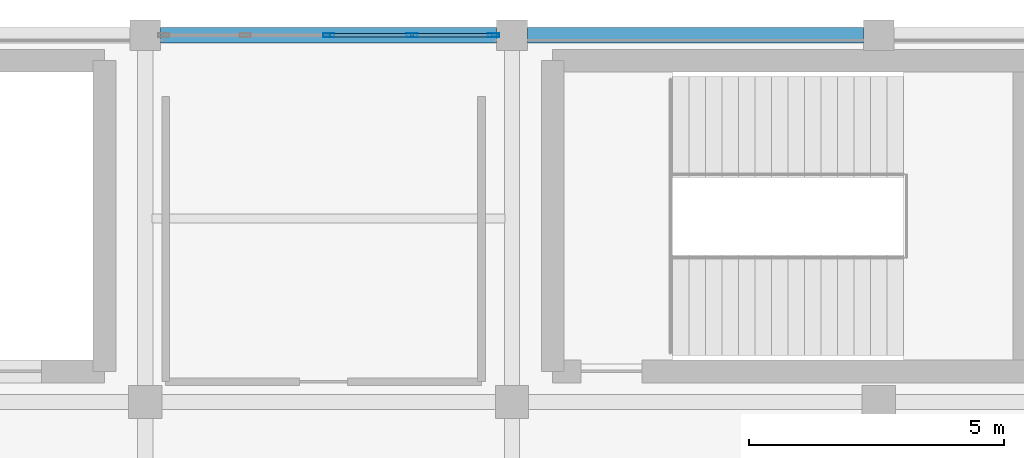
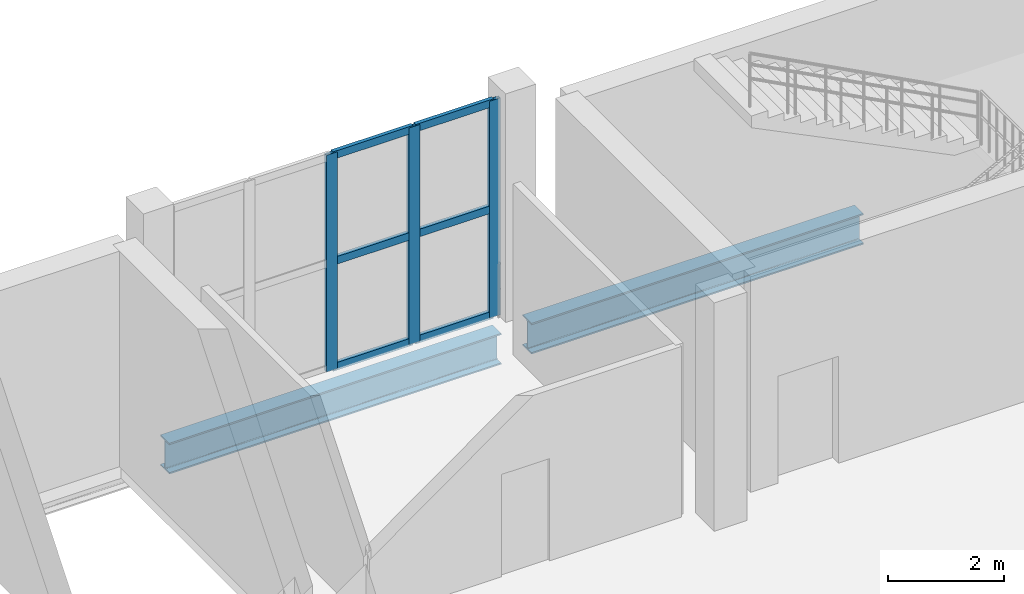
# One storey, part 71 of 105: 9 members, 2 beams, 1 element without a shape of its own.
"""IFC4 building model written with IfcOpenShell, lengths in metres."""

from ifc_helpers import new_model, si_unit, direction, frame, origin, origin_2d, place, context, subcontext, project, spatial, hollow_rectangle, i_section, extrude, material, material_profile, profile_set, type_object, element, aggregate, save


model = new_model("IFC4")

# Units and contexts
model_context = context("Model", 3, precision=1e-05, world=origin(), true_north=direction((0.0, 1.0)))
body_context = subcontext(model_context, "Body", "Model", "MODEL_VIEW")
ifc_project = project(units=[si_unit("LENGTHUNIT", "METRE"), si_unit("AREAUNIT", "SQUARE_METRE"), si_unit("VOLUMEUNIT", "CUBIC_METRE"), si_unit("PLANEANGLEUNIT", "RADIAN"), si_unit("MASSUNIT", "GRAM", prefix="KILO")], contexts=[model_context])

# Site, building, storey
site_placement = place(None, origin())
site = spatial("IfcSite", under=ifc_project, at=site_placement, CompositionType="ELEMENT")
building_placement = place(site_placement, origin())
building = spatial("IfcBuilding", under=site, at=building_placement, Name="Qandorah Velis Arena", CompositionType="ELEMENT")
storey_placement = place(building_placement, frame((0.0, 0.0, 13.800048828125)))
storey = spatial("IfcBuildingStorey", under=building, at=storey_placement, Name="L03", CompositionType="ELEMENT", Elevation=13.800048828125)

# Curtain wall, members
ifc_material_1 = material(Name="Solar-control low-E double glazing", Category="glass")
curtain_wall_type = type_object("IfcCurtainWallType", Name="ARC-CW-SYS17", PredefinedType="USERDEFINED", material=ifc_material_1)
curtain_wall_placement = place(storey_placement, origin())
curtain_wall = element("IfcCurtainWall", 1, at=curtain_wall_placement, inside=storey, type_object=curtain_wall_type, Name="Unitised curtain wall L03-089", ObjectType="UNITISED CURTAIN WALL", PredefinedType="USERDEFINED")
ifc_material_2 = material(Name="Champagne-bronze anodized aluminium 6063-T6", Category="aluminium")
ifc_material_profile_1 = material_profile(ifc_material_2, hollow_rectangle(XDim=0.074951171875, YDim=0.219970703125, WallThickness=0.00390625, at=origin_2d()), Name="ALU MULLION 75x220")
ifc_profile_set_1 = profile_set([ifc_material_profile_1], Name="Champagne-bronze anodized aluminium 6063-T6")
member_type_1 = type_object("IfcMemberType", Name="ARC-CWM-220", PredefinedType="MULLION", material=ifc_profile_set_1)
member_1_placement = place(storey_placement, frame((68.39990234375, 129.60009765625, -0.01513671875), z_axis=(0.0, 0.0, 1.0), x_axis=(0.0, 1.0, 0.0)))
member_1 = element("IfcMember", 2, at=member_1_placement, type_object=member_type_1, Name="CW17 mullion 3", PredefinedType="MULLION", context=body_context, shape_type="SweptSolid", body=[
    extrude(hollow_rectangle(XDim=0.074951171875, YDim=0.219970703125, WallThickness=0.00390625, at=origin_2d()), origin(), (0.0, 0.0, 1.0), 4.56005859375),
])
member_2_placement = place(storey_placement, frame((70.03759765625, 129.60009765625, -0.01513671875), z_axis=(0.0, 0.0, 1.0), x_axis=(0.0, 1.0, 0.0)))
member_2 = element("IfcMember", 3, at=member_2_placement, type_object=member_type_1, Name="CW17 mullion 4", PredefinedType="MULLION", context=body_context, shape_type="SweptSolid", body=[
    extrude(hollow_rectangle(XDim=0.074951171875, YDim=0.219970703125, WallThickness=0.00390625, at=origin_2d()), origin(), (0.0, 0.0, 1.0), 4.56005859375),
])
member_3_placement = place(storey_placement, frame((71.637451171875, 129.60009765625, -0.01513671875), z_axis=(0.0, 0.0, 1.0), x_axis=(0.0, 1.0, 0.0)))
member_3 = element("IfcMember", 4, at=member_3_placement, type_object=member_type_1, Name="CW17 mullion 5", PredefinedType="MULLION", context=body_context, shape_type="SweptSolid", body=[
    extrude(hollow_rectangle(XDim=0.074951171875, YDim=0.219970703125, WallThickness=0.00390625, at=origin_2d()), origin(), (0.0, 0.0, 1.0), 4.56005859375),
])
ifc_material_profile_2 = material_profile(ifc_material_2, hollow_rectangle(XDim=0.074951171875, YDim=0.159912109375, WallThickness=0.00341796875, at=origin_2d()), Name="ALU TRANSOM 75x160")
ifc_profile_set_2 = profile_set([ifc_material_profile_2], Name="Champagne-bronze anodized aluminium 6063-T6")
member_type_2 = type_object("IfcMemberType", Name="ARC-CWT-160", PredefinedType="USERDEFINED", material=ifc_profile_set_2)
member_4_placement = place(storey_placement, frame((68.425537109375, 129.60009765625, 0.037353515625), z_axis=(1.0, 0.0, 0.0), x_axis=(0.0, 1.0, 0.0)))
member_4 = element("IfcMember", 5, at=member_4_placement, type_object=member_type_2, Name="CW17 transom 3.1", ObjectType="TRANSOM", PredefinedType="USERDEFINED", context=body_context, shape_type="SweptSolid", body=[
    extrude(hollow_rectangle(XDim=0.074951171875, YDim=0.159912109375, WallThickness=0.00341796875, at=origin_2d()), origin(), (0.0, 0.0, 1.0), 1.58642578125),
])
member_5_placement = place(storey_placement, frame((68.425537109375, 129.60009765625, 2.264892578125), z_axis=(1.0, 0.0, 0.0), x_axis=(0.0, 1.0, 0.0)))
member_5 = element("IfcMember", 6, at=member_5_placement, type_object=member_type_2, Name="CW17 transom 3.2", ObjectType="TRANSOM", PredefinedType="USERDEFINED", context=body_context, shape_type="SweptSolid", body=[
    extrude(hollow_rectangle(XDim=0.074951171875, YDim=0.159912109375, WallThickness=0.00341796875, at=origin_2d()), origin(), (0.0, 0.0, 1.0), 1.58642578125),
])
member_6_placement = place(storey_placement, frame((68.425537109375, 129.60009765625, 4.492431640625), z_axis=(1.0, 0.0, 0.0), x_axis=(0.0, 1.0, 0.0)))
member_6 = element("IfcMember", 7, at=member_6_placement, type_object=member_type_2, Name="CW17 transom 3.3", ObjectType="TRANSOM", PredefinedType="USERDEFINED", context=body_context, shape_type="SweptSolid", body=[
    extrude(hollow_rectangle(XDim=0.074951171875, YDim=0.159912109375, WallThickness=0.00341796875, at=origin_2d()), origin(), (0.0, 0.0, 1.0), 1.58642578125),
])
member_7_placement = place(storey_placement, frame((70.06298828125, 129.60009765625, 0.037353515625), z_axis=(1.0, 0.0, 0.0), x_axis=(0.0, 1.0, 0.0)))
member_7 = element("IfcMember", 8, at=member_7_placement, type_object=member_type_2, Name="CW17 transom 4.1", ObjectType="TRANSOM", PredefinedType="USERDEFINED", context=body_context, shape_type="SweptSolid", body=[
    extrude(hollow_rectangle(XDim=0.074951171875, YDim=0.159912109375, WallThickness=0.00341796875, at=origin_2d()), origin(), (0.0, 0.0, 1.0), 1.549072265625),
])
member_8_placement = place(storey_placement, frame((70.06298828125, 129.60009765625, 2.264892578125), z_axis=(1.0, 0.0, 0.0), x_axis=(0.0, 1.0, 0.0)))
member_8 = element("IfcMember", 9, at=member_8_placement, type_object=member_type_2, Name="CW17 transom 4.2", ObjectType="TRANSOM", PredefinedType="USERDEFINED", context=body_context, shape_type="SweptSolid", body=[
    extrude(hollow_rectangle(XDim=0.074951171875, YDim=0.159912109375, WallThickness=0.00341796875, at=origin_2d()), origin(), (0.0, 0.0, 1.0), 1.549072265625),
])
member_9_placement = place(storey_placement, frame((70.06298828125, 129.60009765625, 4.492431640625), z_axis=(1.0, 0.0, 0.0), x_axis=(0.0, 1.0, 0.0)))
member_9 = element("IfcMember", 10, at=member_9_placement, type_object=member_type_2, Name="CW17 transom 4.3", ObjectType="TRANSOM", PredefinedType="USERDEFINED", context=body_context, shape_type="SweptSolid", body=[
    extrude(hollow_rectangle(XDim=0.074951171875, YDim=0.159912109375, WallThickness=0.00341796875, at=origin_2d()), origin(), (0.0, 0.0, 1.0), 1.549072265625),
])
aggregate(curtain_wall, [member_1, member_2, member_3, member_4, member_5, member_6, member_7, member_8, member_9])

# Beams
ifc_material_3 = material(Name="Steel S355", Category="steel")
ifc_material_profile_3 = material_profile(ifc_material_3, i_section(OverallWidth=0.300048828125, OverallDepth=0.64990234375, WebThickness=0.01611328125, FlangeThickness=0.031005859375, FilletRadius=0.027099609375, at=origin_2d()), Name="HEB 650")
ifc_profile_set_3 = profile_set([ifc_material_profile_3], Name="Steel S355")
beam_type = type_object("IfcBeamType", Name="STR-BM-HEB650", PredefinedType="BEAM", material=ifc_profile_set_3)
for number, where, z_axis, x_axis, name in (
    (11, (65.10009765625, 129.60009765625, -0.64501953125), (1.0, 0.0, 0.0), (0.0, 1.0, 0.0), "Primary floor girder L03 X-171"),
    (12, (72.300048828125, 129.60009765625, -0.64501953125), (1.0, 0.0, 0.0), (0.0, 1.0, 0.0), "Primary floor girder L03 X-172"),
):
    element("IfcBeam", number, at=place(storey_placement, frame(where, z_axis=z_axis, x_axis=x_axis)), inside=storey, type_object=beam_type, Name=name, PredefinedType="BEAM", context=body_context, shape_type="SweptSolid", body=[
        extrude(i_section(OverallWidth=0.300048828125, OverallDepth=0.64990234375, WebThickness=0.01611328125, FlangeThickness=0.031005859375, FilletRadius=0.027099609375, at=origin_2d()), origin(), (0.0, 0.0, 1.0), 6.599853515625),
    ])

save(model, "model.ifc")
